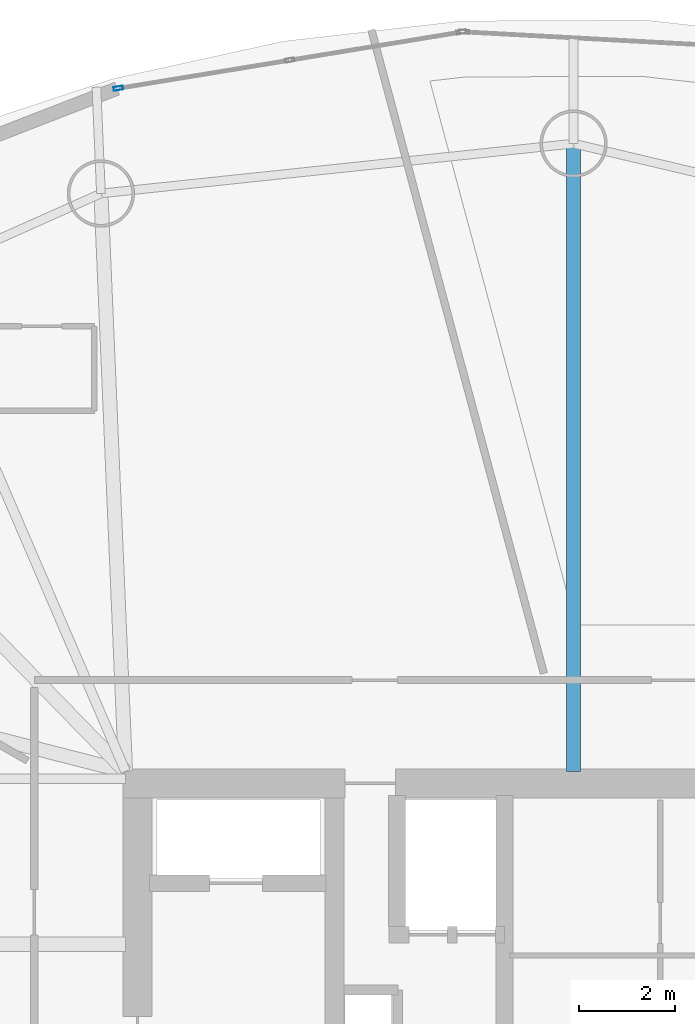
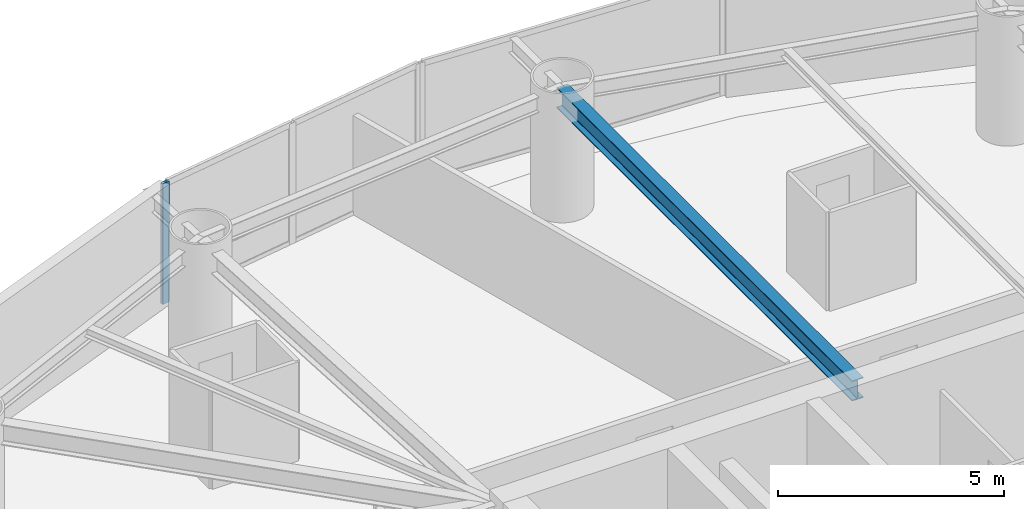
# One storey, part 11 of 20: 1 beam, 1 member, 1 element without a shape of its own.
"""IFC4 building model written with IfcOpenShell, lengths in metres."""

import ifcopenshell
import ifcopenshell.guid

model = None  # the IFC model being written
_history = None  # IfcOwnerHistory: only IFC2X3 demands one
_inside = {}  # id of a spatial element -> (the spatial element, [elements in it])
_under = {}  # id of a project, library or spatial element -> (it, [spatial elements below it])
_declared = {}  # id of a project -> (the project, [libraries it declares])
_typed = {}  # id of a type object -> (the type object, [elements of that type])
_made_of = {}  # id of a material, layer set ... -> (it, [elements and type objects made of it])


def new_model(schema):
    """Start an empty IFC model of exactly this schema.

    Asked for "IFC4X3", IfcOpenShell would pick the latest addendum, in which some entities
    have other attributes; the version numbers below select the first issue.
    IFC2X3 requires an IfcOwnerHistory on every rooted entity: one is made here for all.
    """
    global model, _history
    if schema == "IFC4X3":
        model = ifcopenshell.file(schema_version=(4, 3, 0, 0))
    else:
        model = ifcopenshell.file(schema=schema)
    _inside.clear()
    _under.clear()
    _declared.clear()
    _typed.clear()
    _made_of.clear()
    _history = None
    if model.schema == "IFC2X3":
        org = make("IfcOrganization", Name="unknown")
        user = make(
            "IfcPersonAndOrganization",
            ThePerson=make("IfcPerson", FamilyName="unknown"),
            TheOrganization=org,
        )
        app = make(
            "IfcApplication",
            ApplicationDeveloper=org,
            Version="unknown",
            ApplicationFullName="unknown",
            ApplicationIdentifier="unknown",
        )
        _history = make(
            "IfcOwnerHistory",
            OwningUser=user,
            OwningApplication=app,
            ChangeAction="ADDED",
            CreationDate=0,
        )
    return model


def make(cls, **values):
    """One entity of the class cls with the attributes given. An attribute that is None is left unset."""
    return model.create_entity(
        cls, **{name: value for name, value in values.items() if value is not None}
    )


def rooted(cls, **values):
    """An entity with a GlobalId (a new one), such as an element, a storey or a relation."""
    return make(cls, GlobalId=ifcopenshell.guid.new(), OwnerHistory=_history, **values)


def si_unit(unit_type, name, prefix=None):
    """IfcSIUnit, for example si_unit("LENGTHUNIT", "METRE", prefix="MILLI")."""
    return make("IfcSIUnit", UnitType=unit_type, Prefix=prefix, Name=name)


def assignment(units):
    """IfcUnitAssignment: the units of a project."""
    return None if units is None else make("IfcUnitAssignment", Units=units)


def point(xyz):
    """IfcCartesianPoint."""
    return None if xyz is None else make("IfcCartesianPoint", Coordinates=xyz)


def direction(xyz):
    """IfcDirection."""
    return None if xyz is None else make("IfcDirection", DirectionRatios=xyz)


def frame(location, z_axis=None, x_axis=None):
    """IfcAxis2Placement3D, a coordinate frame: its origin and axes. An axis left out is left unset."""
    return make(
        "IfcAxis2Placement3D",
        Location=point(location),
        Axis=direction(z_axis),
        RefDirection=direction(x_axis),
    )


def frame_2d(location, x_axis=None):
    """IfcAxis2Placement2D, a coordinate frame in the plane: its origin and x axis."""
    return make(
        "IfcAxis2Placement2D", Location=point(location), RefDirection=direction(x_axis)
    )


def origin():
    """The frame at (0, 0, 0) with its axes left unset."""
    return frame((0.0, 0.0, 0.0))


def origin_2d():
    """The frame at (0, 0) in the plane with its x axis left unset."""
    return frame_2d((0.0, 0.0))


def place(relative_to, where):
    """IfcLocalPlacement: puts the frame where relative to a parent placement (None: the world)."""
    return make(
        "IfcLocalPlacement", PlacementRelTo=relative_to, RelativePlacement=where
    )


def context(
    kind, dimensions, precision=None, world=None, true_north=None, identifier=None
):
    """IfcGeometricRepresentationContext, for example the 3D "Model" context."""
    return make(
        "IfcGeometricRepresentationContext",
        ContextIdentifier=identifier,
        ContextType=kind,
        CoordinateSpaceDimension=dimensions,
        Precision=precision,
        WorldCoordinateSystem=world,
        TrueNorth=true_north,
    )


def subcontext(parent, identifier, kind, view, scale=None):
    """IfcGeometricRepresentationSubContext, for example "Body" below "Model"."""
    return make(
        "IfcGeometricRepresentationSubContext",
        ContextIdentifier=identifier,
        ContextType=kind,
        ParentContext=parent,
        TargetScale=scale,
        TargetView=view,
    )


def project(units=None, contexts=None):
    """IfcProject with its units and contexts."""
    return rooted(
        "IfcProject",
        Name="project",
        RepresentationContexts=contexts,
        UnitsInContext=assignment(units),
    )


def spatial(cls, under=None, at=None, **own):
    """A site, building, storey or space (cls), placed at a placement, below another one or the project."""
    s = rooted(cls, ObjectPlacement=at, **own)
    if under is not None:
        _under.setdefault(under.id(), (under, []))[1].append(s)
    return s


def profile(cls, at=None, kind="AREA", **sizes):
    """A parametric profile (cls). Its sizes go by their IFC names, for example OverallWidth=200.0."""
    return make(cls, ProfileType=kind, Position=at, **sizes)


def hollow_rectangle(**sizes):
    """IfcRectangleHollowProfileDef."""
    return profile("IfcRectangleHollowProfileDef", **sizes)


def i_section(**sizes):
    """IfcIShapeProfileDef."""
    return profile("IfcIShapeProfileDef", **sizes)


def extrude(swept, where, along, depth):
    """IfcExtrudedAreaSolid: the profile swept, set in the frame where, extruded along a direction by depth."""
    return make(
        "IfcExtrudedAreaSolid",
        SweptArea=swept,
        Position=where,
        ExtrudedDirection=direction(along),
        Depth=depth,
    )


def shape(context_of_items, identifier, shape_type, items):
    """IfcShapeRepresentation: the items that make up one representation, for example the "Body"."""
    return make(
        "IfcShapeRepresentation",
        ContextOfItems=context_of_items,
        RepresentationIdentifier=identifier,
        RepresentationType=shape_type,
        Items=items,
    )


def material(Name=None, Category=None):
    """IfcMaterial."""
    return make("IfcMaterial", Name=Name, Category=Category)


def layer(
    of_material, thickness, ventilated=None, Name=None, Category=None, Priority=None
):
    """IfcMaterialLayer: one layer of a wall or slab, of a material (None: an air gap)."""
    return make(
        "IfcMaterialLayer",
        Material=of_material,
        LayerThickness=thickness,
        IsVentilated=ventilated,
        Name=Name,
        Category=Category,
        Priority=Priority,
    )


def layer_set(layers, Name=None):
    """IfcMaterialLayerSet."""
    return make("IfcMaterialLayerSet", MaterialLayers=layers, LayerSetName=Name)


def material_profile(
    of_material, cross_section, Name=None, Category=None, Priority=None
):
    """IfcMaterialProfile: a cross section and its material."""
    return make(
        "IfcMaterialProfile",
        Name=Name,
        Material=of_material,
        Profile=cross_section,
        Priority=Priority,
        Category=Category,
    )


def profile_set(profiles, Name=None, composite=None):
    """IfcMaterialProfileSet."""
    return make(
        "IfcMaterialProfileSet",
        Name=Name,
        MaterialProfiles=profiles,
        CompositeProfile=composite,
    )


def made_of(thing, what):
    """Note that an element or type object is made of a material, layer set ...; save() writes the relation."""
    if what is not None:
        _made_of.setdefault(what.id(), (what, []))[1].append(thing)
    return thing


def type_object(cls, material=None, **own):
    """A type object (cls), such as IfcWallType, which elements share."""
    return made_of(rooted(cls, **own), material)


def element(
    cls,
    number,
    at=None,
    inside=None,
    cuts=None,
    type_object=None,
    material=None,
    context=None,
    identifier="Body",
    shape_type=None,
    held_by="IfcProductDefinitionShape",
    body=None,
    shapes=None,
    **own,
):
    """One element of the class cls, such as IfcWall. Its Tag is "e" and its number.

    at: its placement. inside: the storey or other place that contains it. cuts: it is an
    opening in that element (IfcRelVoidsElement). A single representation is given by context,
    identifier, shape_type and body (its items); several are given by shapes. held_by: the class
    of the entity that holds the representations. save() writes the other relations.
    """
    e = rooted(cls, Tag="e%d" % number, ObjectPlacement=at, **own)
    if body is not None:
        shapes = [shape(context, identifier, shape_type, body)]
    if shapes is not None:
        e.Representation = make(held_by, Representations=shapes)
    if inside is not None:
        _inside.setdefault(inside.id(), (inside, []))[1].append(e)
    if cuts is not None:
        rooted(
            "IfcRelVoidsElement", RelatingBuildingElement=cuts, RelatedOpeningElement=e
        )
    if type_object is not None:
        _typed.setdefault(type_object.id(), (type_object, []))[1].append(e)
    return made_of(e, material)


def aggregate(whole, parts):
    """IfcRelAggregates: a whole, such as a stair, and the parts it consists of."""
    return rooted("IfcRelAggregates", RelatingObject=whole, RelatedObjects=parts)


def save(model, path):
    """Write the relations noted so far, then the file.

    IfcRelAggregates (storeys below a building ...), IfcRelContainedInSpatialStructure (elements
    in a storey), IfcRelDefinesByType, IfcRelAssociatesMaterial and IfcRelDeclares: one each for
    every whole, place, type object, material and project.
    """
    for whole, parts in _under.values():
        aggregate(whole, parts)
    for where, things in _inside.values():
        rooted(
            "IfcRelContainedInSpatialStructure",
            RelatedElements=things,
            RelatingStructure=where,
        )
    for kind, things in _typed.values():
        rooted("IfcRelDefinesByType", RelatedObjects=things, RelatingType=kind)
    for what, things in _made_of.values():
        rooted("IfcRelAssociatesMaterial", RelatedObjects=things, RelatingMaterial=what)
    for by, libraries in _declared.values():
        rooted("IfcRelDeclares", RelatingContext=by, RelatedDefinitions=libraries)
    model.write(path)


model = new_model("IFC4")

# Units and contexts
model_context = context("Model", 3, precision=1e-05, world=origin(), true_north=direction((0.0, 1.0)))
body_context = subcontext(model_context, "Body", "Model", "MODEL_VIEW")
ifc_project = project(units=[si_unit("LENGTHUNIT", "METRE"), si_unit("AREAUNIT", "SQUARE_METRE"), si_unit("VOLUMEUNIT", "CUBIC_METRE"), si_unit("PLANEANGLEUNIT", "RADIAN"), si_unit("MASSUNIT", "GRAM", prefix="KILO")], contexts=[model_context])

# Site, building, storey
site_placement = place(None, origin())
site = spatial("IfcSite", under=ifc_project, at=site_placement, CompositionType="ELEMENT")
building_placement = place(site_placement, origin())
building = spatial("IfcBuilding", under=site, at=building_placement, Name="Bramvorn Convention Spire", CompositionType="ELEMENT")
storey_placement = place(building_placement, frame((0.0, 0.0, 130.800048828125)))
storey = spatial("IfcBuildingStorey", under=building, at=storey_placement, Name="L32", CompositionType="ELEMENT", Elevation=130.800048828125)

# Beam
ifc_material_1 = material(Name="Steel CSA G40.21 Grade 350 (350W)", Category="steel")
ifc_material_profile_1 = material_profile(ifc_material_1, i_section(OverallWidth=0.2919921875, OverallDepth=0.551025390625, WebThickness=0.01513671875, FlangeThickness=0.0244140625, FilletRadius=0.01904296875, at=origin_2d()))
ifc_profile_set_1 = profile_set([ifc_material_profile_1], Name="Steel CSA G40.21 Grade 350 (350W) - W530X182")
beam_type = type_object("IfcBeamType", Name="BM-W530X182", PredefinedType="BEAM", material=ifc_profile_set_1)
beam_placement = place(storey_placement, frame((36.075927734375, 33.449951171875, 2.95947265625), z_axis=(0.0, 1.0, 0.0), x_axis=(-1.0, 0.0, 0.0)))
element("IfcBeam", 1, at=beam_placement, inside=storey, type_object=beam_type, Name="L32 Sky-Garden back-span radial girder MC06", PredefinedType="BEAM", context=body_context, shape_type="SweptSolid", body=[
    extrude(i_section(OverallWidth=0.2919921875, OverallDepth=0.551025390625, WebThickness=0.01513671875, FlangeThickness=0.0244140625, FilletRadius=0.01904296875, at=origin_2d()), origin(), (0.0, 0.0, 1.0), 13.0673828125),
])

# Curtain wall, member
ifc_material_2 = material(Name="Anodised Bronze Unitised Curtain Wall", Category="aluminium")
ifc_layer = layer(ifc_material_2, 0.179931640625)
ifc_layer_set = layer_set([ifc_layer], Name="Anodised Bronze Unitised Curtain Wall - CW-HTL-FRIT")
curtain_wall_type = type_object("IfcCurtainWallType", Name="CW-HTL-FRIT", PredefinedType="USERDEFINED", material=ifc_layer_set)
curtain_wall_placement = place(storey_placement, origin())
curtain_wall = element("IfcCurtainWall", 2, at=curtain_wall_placement, inside=storey, type_object=curtain_wall_type, Name="L32 fritted glass curtain wall 09", ObjectType="UNITISED CURTAIN WALL", PredefinedType="USERDEFINED")
ifc_material_3 = material(Name="Anodised Bronze Aluminium 6063-T6", Category="aluminium")
ifc_material_profile_2 = material_profile(ifc_material_3, hollow_rectangle(XDim=0.080078125, YDim=0.199951171875, WallThickness=0.00390625, InnerFilletRadius=0.0009765625, OuterFilletRadius=0.00390625, at=origin_2d()))
ifc_profile_set_2 = profile_set([ifc_material_profile_2], Name="Anodised Bronze Aluminium 6063-T6 - CWM80X200")
member_type = type_object("IfcMemberType", Name="CW-MUL-180", PredefinedType="MULLION", material=ifc_profile_set_2)
member_placement = place(storey_placement, frame((26.602783203125, 47.66748046875, 0.0), z_axis=(0.0, 0.0, 1.0), x_axis=(-0.162045627405, 0.986783266295, 0.0)))
member = element("IfcMember", 3, at=member_placement, type_object=member_type, Name="CW2 mullion 1", PredefinedType="MULLION", context=body_context, shape_type="SweptSolid", body=[
    extrude(hollow_rectangle(XDim=0.080078125, YDim=0.199951171875, WallThickness=0.00390625, InnerFilletRadius=0.0009765625, OuterFilletRadius=0.00390625, at=origin_2d()), origin(), (0.0, 0.0, 1.0), 3.260009765625),
])
aggregate(curtain_wall, [member])

save(model, "model.ifc")
